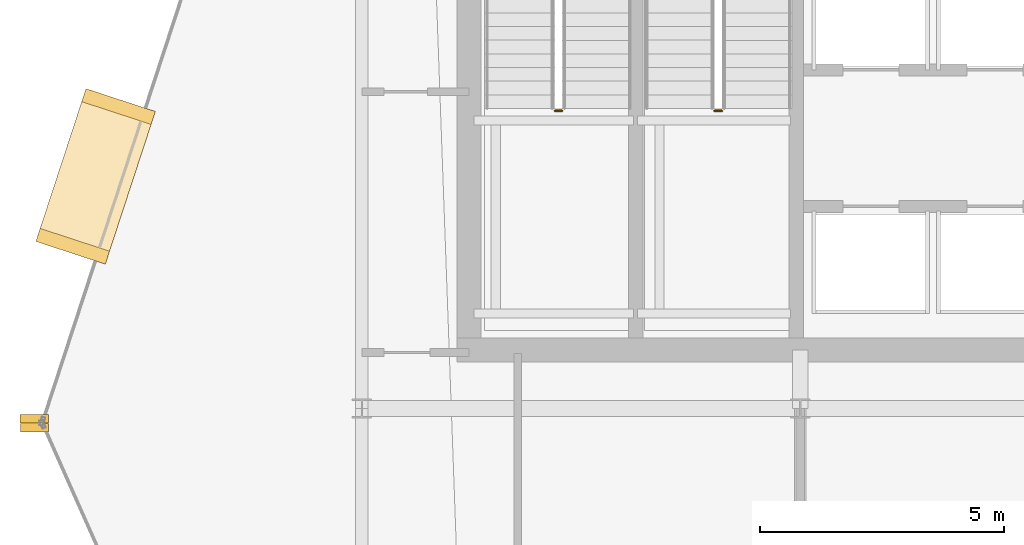
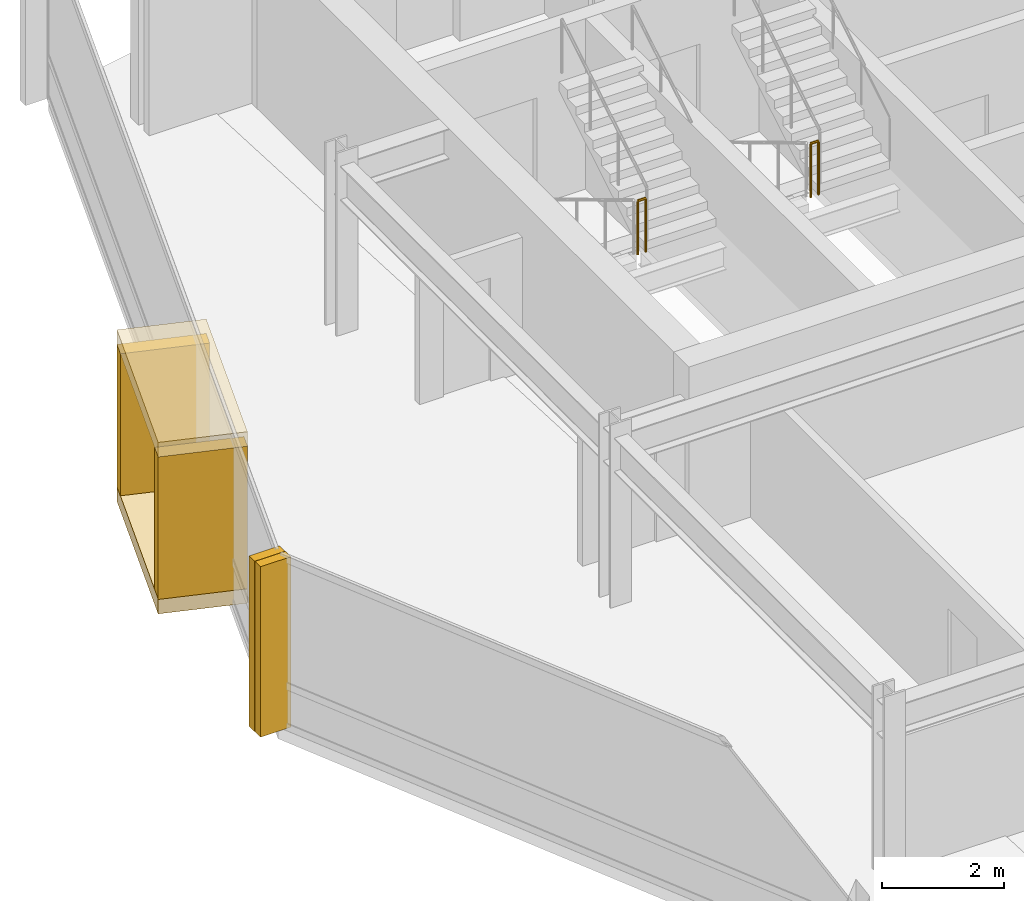
# One storey, part 24 of 28: 6 coverings, 2 railings.
"""IFC4 building model written with IfcOpenShell, lengths in metres."""

from ifc_helpers import new_model, si_unit, direction, frame, origin, origin_2d, place, context, subcontext, project, spatial, rectangle, circle, extrude, material, layer, layer_set, type_object, element, save


model = new_model("IFC4")

# Units and contexts
model_context = context("Model", 3, precision=1e-05, world=origin(), true_north=direction((0.0, 1.0)))
body_context = subcontext(model_context, "Body", "Model", "MODEL_VIEW")
ifc_project = project(units=[si_unit("LENGTHUNIT", "METRE"), si_unit("AREAUNIT", "SQUARE_METRE"), si_unit("VOLUMEUNIT", "CUBIC_METRE"), si_unit("PLANEANGLEUNIT", "RADIAN"), si_unit("MASSUNIT", "GRAM", prefix="KILO")], contexts=[model_context])

# Site, building, storey
site_placement = place(None, origin())
site = spatial("IfcSite", under=ifc_project, at=site_placement, CompositionType="ELEMENT")
building_placement = place(site_placement, origin())
building = spatial("IfcBuilding", under=site, at=building_placement, Name="Solvaryn Broadcast Tower", CompositionType="ELEMENT")
storey_placement = place(building_placement, frame((0.0, 0.0, 206.199951171875)))
storey = spatial("IfcBuildingStorey", under=building, at=storey_placement, Name="L51", CompositionType="ELEMENT", Elevation=206.199951171875)

# Coverings
ifc_material_1 = material(Name="Glazed Architectural Terracotta Rainscreen Cladding", Category="masonry")
ifc_layer_1 = layer(ifc_material_1, 0.280029296875)
ifc_layer_set_1 = layer_set([ifc_layer_1], Name="CV-TC-CLAD")
covering_type_1 = type_object("IfcCoveringType", Name="CV-TC-CLAD", PredefinedType="CLADDING", material=ifc_layer_set_1)
for number, where, z_axis, x_axis, name in (
    (1, (3.533935546875, 31.763916015625, 3.1298828125), (0.0, 0.0, 1.0), (-0.311505792684, -0.950244253402, 0.0), "L51 Projecting Stone Window Box Hood 1"),
    (2, (3.533935546875, 31.763916015625, -0.009765625), (0.0, 0.0, 1.0), (-0.311505792684, -0.950244253402, 0.0), "L51 Projecting Stone Window Box Sill 1"),
):
    element("IfcCovering", number, at=place(storey_placement, frame(where, z_axis=z_axis, x_axis=x_axis)), inside=storey, type_object=covering_type_1, Name=name, PredefinedType="CLADDING", context=body_context, shape_type="SweptSolid", body=[
        extrude(rectangle(XDim=3.300048828125, YDim=1.5, at=origin_2d()), origin(), (0.0, 0.0, 1.0), 0.300048828125),
    ])
for number, where, z_axis, x_axis, name in (
    (3, (4.00439453125, 33.198974609375, 0.27978515625), (0.0, 0.0, 1.0), (-0.311505792684, -0.950244253402, 0.0), "L51 Projecting Stone Window Box Cheek 1-1"),
    (4, (3.063720703125, 30.3291015625, 0.27978515625), (0.0, 0.0, 1.0), (-0.311505792684, -0.950244253402, 0.0), "L51 Projecting Stone Window Box Cheek 1-2"),
):
    element("IfcCovering", number, at=place(storey_placement, frame(where, z_axis=z_axis, x_axis=x_axis)), inside=storey, type_object=covering_type_1, Name=name, PredefinedType="CLADDING", context=body_context, shape_type="SweptSolid", body=[
        extrude(rectangle(XDim=0.280029296875, YDim=1.5, at=origin_2d()), origin(), (0.0, 0.0, 1.0), 2.860107421875),
    ])
ifc_material_2 = material(Name="Extruded Architectural Terracotta Fin", Category="masonry")
ifc_layer_2 = layer(ifc_material_2, 0.179931640625)
ifc_layer_set_2 = layer_set([ifc_layer_2], Name="CV-TC-FIN")
covering_type_2 = type_object("IfcCoveringType", Name="CV-TC-FIN", PredefinedType="USERDEFINED", material=ifc_layer_set_2)
for number, where, z_axis, x_axis, name in (
    (5, (2.271240234375, 26.790771484375, 0.0), (0.0, 0.0, 1.0), (1.0, 0.0, 0.0), "L51 Terracotta Vertical Fin FIN-L51-DR1-M01"),
    (6, (2.281005859375, 26.605712890625, 0.0), (0.0, 0.0, 1.0), (1.0, 0.0, 0.0), "L51 Terracotta Vertical Fin FIN-L51-DR2-M00"),
):
    element("IfcCovering", number, at=place(storey_placement, frame(where, z_axis=z_axis, x_axis=x_axis)), inside=storey, type_object=covering_type_2, Name=name, ObjectType="FIN", PredefinedType="USERDEFINED", context=body_context, shape_type="SweptSolid", body=[
        extrude(rectangle(XDim=0.580078125, YDim=0.179931640625, at=origin_2d()), origin(), (0.0, 0.0, 1.0), 3.419921875),
    ])

# Railings
ifc_material_3 = material(Name="Painted Steel Stair Well Guard", Category="steel")
railing_type = type_object("IfcRailingType", Name="RL-STAIR-GUARD", PredefinedType="BALUSTRADE", material=ifc_material_3)
railing_1_placement = place(storey_placement, frame((12.9599609375, 33.110107421875, 1.85009765625)))
element("IfcRailing", 7, at=railing_1_placement, inside=storey, type_object=railing_type, Name="L51 ST1 stair guard 2", PredefinedType="BALUSTRADE", context=body_context, shape_type="SweptSolid", body=[
    extrude(circle(Radius=0.02392578125, at=origin_2d()), frame((0.0, 0.0, 1.076171875), z_axis=(1.0, 0.0, 0.0), x_axis=(0.0, 1.0, 0.0)), (0.0, 0.0, 1.0), 0.150146484375),
    extrude(circle(Radius=0.02099609375, at=origin_2d()), origin(), (0.0, 0.0, 1.0), 1.052001953125),
    extrude(circle(Radius=0.02099609375, at=origin_2d()), frame((0.150146484375, 0.0, 0.0)), (0.0, 0.0, 1.0), 1.052001953125),
])
railing_2_placement = place(storey_placement, frame((16.239990234375, 33.110107421875, 1.85009765625)))
element("IfcRailing", 8, at=railing_2_placement, inside=storey, type_object=railing_type, Name="L51 ST2 stair guard 2", PredefinedType="BALUSTRADE", context=body_context, shape_type="SweptSolid", body=[
    extrude(circle(Radius=0.02392578125, at=origin_2d()), frame((0.0, 0.0, 1.076171875), z_axis=(1.0, 0.0, 0.0), x_axis=(0.0, 1.0, 0.0)), (0.0, 0.0, 1.0), 0.14990234375),
    extrude(circle(Radius=0.02099609375, at=origin_2d()), origin(), (0.0, 0.0, 1.0), 1.052001953125),
    extrude(circle(Radius=0.02099609375, at=origin_2d()), frame((0.14990234375, 0.0, 0.0)), (0.0, 0.0, 1.0), 1.052001953125),
])

save(model, "model.ifc")
